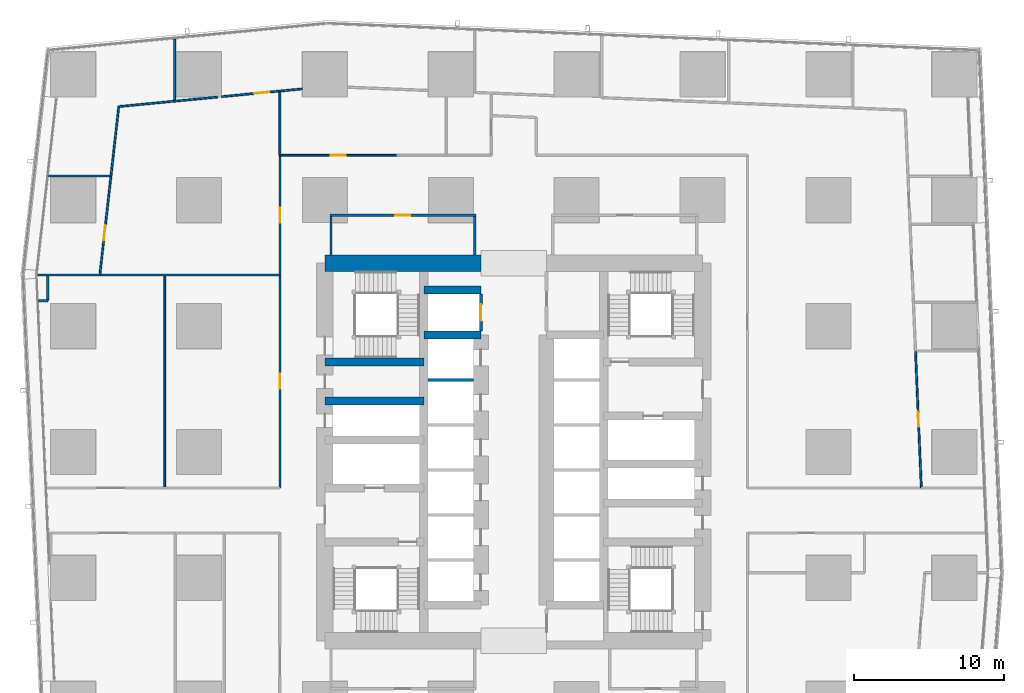
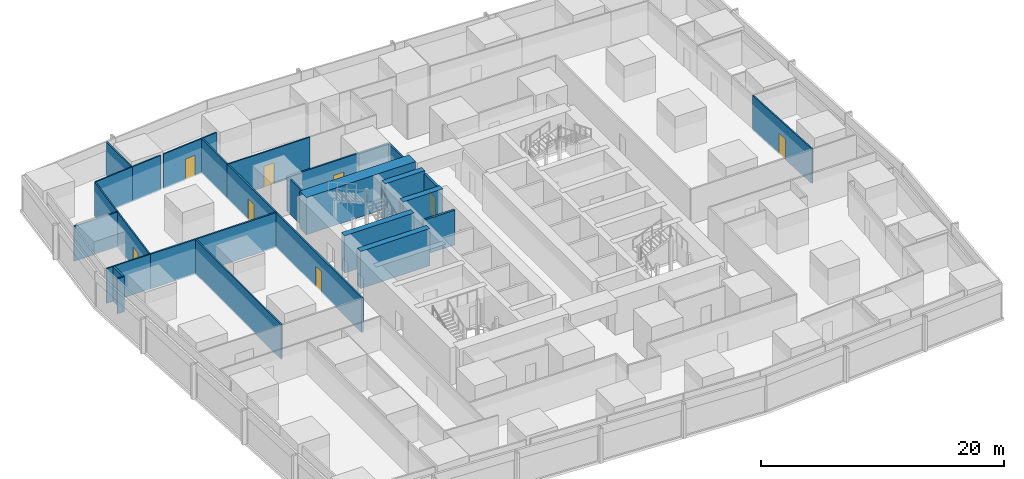
# One storey, part 34 of 45: 27 walls, 8 doors, 8 openings.
"""IFC4 building model written with IfcOpenShell, lengths in metres."""

from ifc_helpers import new_model, si_unit, direction, frame, frame_2d, origin, place, context, subcontext, project, spatial, rectangle, extrude, material, layer, layer_set, type_object, element, fill, save


model = new_model("IFC4")

# Units and contexts
model_context = context("Model", 3, precision=1e-05, world=origin(), true_north=direction((0.0, 1.0)))
body_context = subcontext(model_context, "Body", "Model", "MODEL_VIEW")
ifc_project = project(units=[si_unit("LENGTHUNIT", "METRE"), si_unit("AREAUNIT", "SQUARE_METRE"), si_unit("VOLUMEUNIT", "CUBIC_METRE"), si_unit("PLANEANGLEUNIT", "RADIAN"), si_unit("MASSUNIT", "GRAM", prefix="KILO")], contexts=[model_context])

# Site, building, storey
site_placement = place(None, origin())
site = spatial("IfcSite", under=ifc_project, at=site_placement, CompositionType="ELEMENT")
building_placement = place(site_placement, origin())
building = spatial("IfcBuilding", under=site, at=building_placement, Name="Rekha Terrace Tower", CompositionType="ELEMENT")
storey_placement = place(building_placement, frame((0.0, 0.0, 77.89990234375)))
storey = spatial("IfcBuildingStorey", under=building, at=storey_placement, Name="L19", CompositionType="ELEMENT", Elevation=77.89990234375)

# Walls
ifc_material_1 = material(Name="Concrete M70", Category="concrete")
ifc_layer_1 = layer(ifc_material_1, 0.550048828125)
ifc_layer_set_1 = layer_set([ifc_layer_1], Name="Concrete M70")
wall_type_1 = type_object("IfcWallType", Name="CI1 550 core internal shear wall", PredefinedType="SHEAR", material=ifc_layer_set_1)
for number, where, z_axis, x_axis, name in (
    (1, (31.800048828125, 41.39990234375, 0.0), (0.0, 0.0, 1.0), (1.0, 0.0, 0.0), "Core wall Y414W L19"),
    (2, (31.800048828125, 44.39990234375, 0.0), (0.0, 0.0, 1.0), (1.0, 0.0, 0.0), "Core wall Y444W L19"),
):
    element("IfcWall", number, at=place(storey_placement, frame(where, z_axis=z_axis, x_axis=x_axis)), inside=storey, type_object=wall_type_1, Name=name, PredefinedType="SHEAR", context=body_context, shape_type="SweptSolid", body=[
        extrude(rectangle(XDim=3.800048828125, YDim=0.550048828125, at=frame_2d((1.89990234375, 0.0))), origin(), (0.0, 0.0, 1.0), 3.75),
    ])
for number, where, z_axis, x_axis, name in (
    (3, (25.199951171875, 37.0, 0.0), (0.0, 0.0, 1.0), (1.0, 0.0, 0.0), "Core wall Y370W L19"),
    (4, (25.199951171875, 39.60009765625, 0.0), (0.0, 0.0, 1.0), (1.0, 0.0, 0.0), "Core wall Y396W L19"),
):
    element("IfcWall", number, at=place(storey_placement, frame(where, z_axis=z_axis, x_axis=x_axis)), inside=storey, type_object=wall_type_1, Name=name, PredefinedType="SHEAR", context=body_context, shape_type="SweptSolid", body=[
        extrude(rectangle(XDim=6.60009765625, YDim=0.550048828125, at=frame_2d((3.300048828125, 0.0))), origin(), (0.0, 0.0, 1.0), 3.75),
    ])
ifc_layer_2 = layer(ifc_material_1, 1.10009765625)
ifc_layer_set_2 = layer_set([ifc_layer_2], Name="Concrete M70")
wall_type_2 = type_object("IfcWallType", Name="SW1 1100 core outer shear wall", PredefinedType="SHEAR", material=ifc_layer_set_2)
wall_1_placement = place(storey_placement, frame((25.199951171875, 46.199951171875, 0.0), z_axis=(0.0, 0.0, 1.0), x_axis=(1.0, 0.0, 0.0)))
element("IfcWall", 5, at=wall_1_placement, inside=storey, type_object=wall_type_2, Name="Core wall N1 L19", PredefinedType="SHEAR", context=body_context, shape_type="SweptSolid", body=[
    extrude(rectangle(XDim=10.400146484375, YDim=1.10009765625, at=frame_2d((5.2001953125, 0.0))), origin(), (0.0, 0.0, 1.0), 3.75),
])

# Wall, opening, door
ifc_material_2 = material(Name="Concrete block masonry, 1 hour", Category="masonry")
ifc_layer_3 = layer(ifc_material_2, 0.14990234375)
ifc_layer_set_3 = layer_set([ifc_layer_3], Name="Concrete block masonry, 1 hour")
wall_type_3 = type_object("IfcWallType", Name="WP2 150 tenancy partition", PredefinedType="PARTITIONING", material=ifc_layer_set_3)
wall_2_placement = place(storey_placement, frame((25.52490234375, 49.39990234375, 0.0), z_axis=(0.0, 0.0, 1.0), x_axis=(1.0, 0.0, 0.0)))
wall_2 = element("IfcWall", 6, at=wall_2_placement, inside=storey, type_object=wall_type_3, Name="Women's WC wall L19", PredefinedType="PARTITIONING", context=body_context, shape_type="SweptSolid", body=[
    extrude(rectangle(XDim=9.75, YDim=0.14990234375, at=frame_2d((4.875, 0.0))), origin(), (0.0, 0.0, 1.0), 3.5),
])
opening_1_placement = place(wall_2_placement, frame((4.375, 0.0, 0.0)))
opening_1 = element("IfcOpeningElement", 7, at=opening_1_placement, cuts=wall_2, Name="Opening D3", PredefinedType="OPENING", context=body_context, shape_type="SweptSolid", body=[
    extrude(rectangle(XDim=1.0, YDim=2.10009765625, at=frame_2d((0.5, 1.050048828125))), frame((0.0, 0.0849609375, 0.0), z_axis=(0.0, -1.0, 0.0), x_axis=(1.0, 0.0, 0.0)), (0.0, 0.0, 1.0), 0.169921875),
])
ifc_material_3 = material(Name="Laminated timber fire door", Category="wood")
door_type_1 = type_object("IfcDoorType", Name="D3 1000x2100 WC door", OperationType="SINGLE_SWING_LEFT", PredefinedType="DOOR", material=ifc_material_3)
door_1_placement = place(opening_1_placement, origin())
door_1 = element("IfcDoor", 8, at=door_1_placement, inside=storey, type_object=door_type_1, Name="Door women's wc L19", OperationType="SINGLE_SWING_LEFT", OverallHeight=2.10009765625, OverallWidth=1.0, PredefinedType="DOOR", context=body_context, shape_type="SweptSolid", body=[
    extrude(rectangle(XDim=1.0, YDim=2.10009765625, at=frame_2d((0.5, 1.050048828125))), frame((0.0, 0.02490234375, 0.0), z_axis=(0.0, -1.0, 0.0), x_axis=(1.0, 0.0, 0.0)), (0.0, 0.0, 1.0), 0.050048828125),
])
fill(opening_1, door_1)

# Walls
for number, where, z_axis, x_axis, name in (
    (9, (25.60009765625, 46.75, 0.0), (0.0, 0.0, 1.0), (0.0, 1.0, 0.0), "Women's WC wall L19"),
    (10, (35.199951171875, 46.75, 0.0), (0.0, 0.0, 1.0), (0.0, 1.0, 0.0), "Women's WC wall L19"),
):
    element("IfcWall", number, at=place(storey_placement, frame(where, z_axis=z_axis, x_axis=x_axis)), inside=storey, type_object=wall_type_3, Name=name, PredefinedType="PARTITIONING", context=body_context, shape_type="SweptSolid", body=[
        extrude(rectangle(XDim=2.574951171875, YDim=0.14990234375, at=frame_2d((1.28759765625, 0.0))), origin(), (0.0, 0.0, 1.0), 3.5),
    ])
wall_3_placement = place(storey_placement, frame((6.751953125, 52.013916015625, 0.0), z_axis=(0.0, 0.0, 1.0), x_axis=(1.0, 0.0, 0.0)))
element("IfcWall", 11, at=wall_3_placement, inside=storey, type_object=wall_type_3, Name="Partition L19-O3b", PredefinedType="PARTITIONING", context=body_context, shape_type="SweptSolid", body=[
    extrude(rectangle(XDim=4.113037109375, YDim=0.14990234375, at=frame_2d((2.056640625, 0.0))), origin(), (0.0, 0.0, 1.0), 3.5),
])

# Wall, opening, door
wall_4_placement = place(storey_placement, frame((22.199951171875, 53.39990234375, 0.0), z_axis=(0.0, 0.0, 1.0), x_axis=(0.0, -1.0, 0.0)))
wall_4 = element("IfcWall", 12, at=wall_4_placement, inside=storey, type_object=wall_type_3, Name="Partition L19-O3b", PredefinedType="PARTITIONING", context=body_context, shape_type="SweptSolid", body=[
    extrude(rectangle(XDim=7.989013671875, YDim=0.14990234375, at=frame_2d((3.99462890625, 0.0))), origin(), (0.0, 0.0, 1.0), 3.5),
])
opening_2_placement = place(wall_4_placement, frame((3.493896484375, 0.0, 0.0)))
opening_2 = element("IfcOpeningElement", 13, at=opening_2_placement, cuts=wall_4, Name="Opening D9", PredefinedType="OPENING", context=body_context, shape_type="SweptSolid", body=[
    extrude(rectangle(XDim=1.0, YDim=2.10009765625, at=frame_2d((0.5, 1.050048828125))), frame((0.0, 0.0849609375, 0.0), z_axis=(0.0, -1.0, 0.0), x_axis=(1.0, 0.0, 0.0)), (0.0, 0.0, 1.0), 0.169921875),
])
ifc_material_4 = material(Name="Timber fire door", Category="wood")
door_type_2 = type_object("IfcDoorType", Name="D9 1000x2100 office door", OperationType="SINGLE_SWING_LEFT", PredefinedType="DOOR", material=ifc_material_4)
door_2_placement = place(opening_2_placement, origin())
door_2 = element("IfcDoor", 14, at=door_2_placement, inside=storey, type_object=door_type_2, Name="Door open-plan office L19", OperationType="SINGLE_SWING_LEFT", OverallHeight=2.10009765625, OverallWidth=1.0, PredefinedType="DOOR", context=body_context, shape_type="SweptSolid", body=[
    extrude(rectangle(XDim=1.0, YDim=2.10009765625, at=frame_2d((0.5, 1.050048828125))), frame((0.0, 0.02490234375, 0.0), z_axis=(0.0, -1.0, 0.0), x_axis=(1.0, 0.0, 0.0)), (0.0, 0.0, 1.0), 0.050048828125),
])
fill(opening_2, door_2)

# Walls
wall_5_placement = place(storey_placement, frame((22.199951171875, 45.410888671875, 0.0), z_axis=(0.0, 0.0, 1.0), x_axis=(-1.0, 0.0, 0.0)))
element("IfcWall", 15, at=wall_5_placement, inside=storey, type_object=wall_type_3, Name="Partition L19-O3b", PredefinedType="PARTITIONING", context=body_context, shape_type="SweptSolid", body=[
    extrude(rectangle(XDim=12.013916015625, YDim=0.14990234375, at=frame_2d((6.0068359375, 0.0))), origin(), (0.0, 0.0, 1.0), 3.5),
])
wall_6_placement = place(storey_placement, frame((6.717041015625, 45.34912109375, 0.0), z_axis=(0.0, 0.0, 1.0), x_axis=(0.0, -1.0, 0.0)))
element("IfcWall", 16, at=wall_6_placement, inside=storey, type_object=wall_type_3, Name="Partition L19-O3b", PredefinedType="PARTITIONING", context=body_context, shape_type="SweptSolid", body=[
    extrude(rectangle(XDim=1.655029296875, YDim=0.14990234375, at=frame_2d((0.82763671875, 0.0))), origin(), (0.0, 0.0, 1.0), 3.5),
])
wall_7_placement = place(storey_placement, frame((6.717041015625, 43.694091796875, 0.0), z_axis=(0.0, 0.0, 1.0), x_axis=(-1.0, 0.0, 0.0)))
element("IfcWall", 17, at=wall_7_placement, inside=storey, type_object=wall_type_3, Name="Partition L19-O3b", PredefinedType="PARTITIONING", context=body_context, shape_type="SweptSolid", body=[
    extrude(rectangle(XDim=0.6279296875, YDim=0.14990234375, at=frame_2d((0.31396484375, 0.0))), origin(), (0.0, 0.0, 1.0), 3.5),
])

# Wall, opening, door
wall_8_placement = place(storey_placement, frame((22.199951171875, 45.410888671875, 0.0), z_axis=(0.0, 0.0, 1.0), x_axis=(0.0, -1.0, 0.0)))
wall_8 = element("IfcWall", 18, at=wall_8_placement, inside=storey, type_object=wall_type_3, Name="Partition L19-O4", PredefinedType="PARTITIONING", context=body_context, shape_type="SweptSolid", body=[
    extrude(rectangle(XDim=14.2109375, YDim=0.14990234375, at=frame_2d((7.10546875, 0.0))), origin(), (0.0, 0.0, 1.0), 3.5),
])
opening_3_placement = place(wall_8_placement, frame((6.60595703125, 0.0, 0.0)))
opening_3 = element("IfcOpeningElement", 19, at=opening_3_placement, cuts=wall_8, Name="Opening D9", PredefinedType="OPENING", context=body_context, shape_type="SweptSolid", body=[
    extrude(rectangle(XDim=1.0, YDim=2.10009765625, at=frame_2d((0.5, 1.050048828125))), frame((0.0, 0.0849609375, 0.0), z_axis=(0.0, -1.0, 0.0), x_axis=(1.0, 0.0, 0.0)), (0.0, 0.0, 1.0), 0.169921875),
])
door_3_placement = place(opening_3_placement, origin())
door_3 = element("IfcDoor", 20, at=door_3_placement, inside=storey, type_object=door_type_2, Name="Door open-plan office L19", OperationType="SINGLE_SWING_LEFT", OverallHeight=2.10009765625, OverallWidth=1.0, PredefinedType="DOOR", context=body_context, shape_type="SweptSolid", body=[
    extrude(rectangle(XDim=1.0, YDim=2.10009765625, at=frame_2d((0.5, 1.050048828125))), frame((0.0, 0.02490234375, 0.0), z_axis=(0.0, -1.0, 0.0), x_axis=(1.0, 0.0, 0.0)), (0.0, 0.0, 1.0), 0.050048828125),
])
fill(opening_3, door_3)

ifc_material_5 = material(Name="Two layers of fire-rated gypsum board each side on steel studs, acoustic quilt, 1 hour", Category="steel")
ifc_layer_4 = layer(ifc_material_5, 0.125)
ifc_layer_set_4 = layer_set([ifc_layer_4], Name="Two layers of fire-rated gypsum board each side on steel studs, acoustic quilt, 1 hour")
wall_type_4 = type_object("IfcWallType", Name="WP3 125 office partition", PredefinedType="PARTITIONING", material=ifc_layer_set_4)
wall_9_placement = place(storey_placement, frame((64.990966796875, 31.201904296875, 0.0), z_axis=(0.0, 0.0, 1.0), x_axis=(-0.042637761781, 0.999090597128, 0.0)))
wall_9 = element("IfcWall", 21, at=wall_9_placement, inside=storey, type_object=wall_type_4, Name="Partition L19-14", PredefinedType="PARTITIONING", context=body_context, shape_type="SweptSolid", body=[
    extrude(rectangle(XDim=9.144287109375, YDim=0.125, at=frame_2d((4.572265625, 0.0))), origin(), (0.0, 0.0, 1.0), 3.5),
])
opening_4_placement = place(wall_9_placement, frame((4.072021484375, 0.0, 0.0)))
opening_4 = element("IfcOpeningElement", 22, at=opening_4_placement, cuts=wall_9, Name="Opening D9", PredefinedType="OPENING", context=body_context, shape_type="SweptSolid", body=[
    extrude(rectangle(XDim=1.0, YDim=2.10009765625, at=frame_2d((0.5, 1.050048828125))), frame((0.0, 0.072509765625, 0.0), z_axis=(0.0, -1.0, 0.0), x_axis=(1.0, 0.0, 0.0)), (0.0, 0.0, 1.0), 0.14501953125),
])
door_4_placement = place(opening_4_placement, origin())
door_4 = element("IfcDoor", 23, at=door_4_placement, inside=storey, type_object=door_type_2, Name="Door office L19", OperationType="SINGLE_SWING_LEFT", OverallHeight=2.10009765625, OverallWidth=1.0, PredefinedType="DOOR", context=body_context, shape_type="SweptSolid", body=[
    extrude(rectangle(XDim=1.0, YDim=2.10009765625, at=frame_2d((0.5, 1.050048828125))), frame((0.0, 0.02490234375, 0.0), z_axis=(0.0, -1.0, 0.0), x_axis=(1.0, 0.0, 0.0)), (0.0, 0.0, 1.0), 0.050048828125),
])
fill(opening_4, door_4)

# Wall
wall_10_placement = place(storey_placement, frame((15.177001953125, 57.0048828125, 0.0), z_axis=(0.0, 0.0, 1.0), x_axis=(0.0, 1.0, 0.0)))
element("IfcWall", 24, at=wall_10_placement, inside=storey, type_object=wall_type_4, Name="Partition L19-18", PredefinedType="PARTITIONING", context=body_context, shape_type="SweptSolid", body=[
    extrude(rectangle(XDim=4.13916015625, YDim=0.125, at=frame_2d((2.069580078125, 0.0))), origin(), (0.0, 0.0, 1.0), 3.5),
])

# Wall, opening, door
wall_11_placement = place(storey_placement, frame((23.679931640625, 57.822998046875, 0.0), z_axis=(0.0, 0.0, 1.0), x_axis=(-0.995395894547, -0.095848907765, 0.0)))
wall_11 = element("IfcWall", 25, at=wall_11_placement, inside=storey, type_object=wall_type_4, Name="Partition L19-18", PredefinedType="PARTITIONING", context=body_context, shape_type="SweptSolid", body=[
    extrude(rectangle(XDim=5.384765625, YDim=0.125, at=frame_2d((2.6923828125, 0.0))), origin(), (0.0, 0.0, 1.0), 3.5),
])
opening_5_placement = place(wall_11_placement, frame((2.19189453125, 0.0, 0.0)))
opening_5 = element("IfcOpeningElement", 26, at=opening_5_placement, cuts=wall_11, Name="Opening D9", PredefinedType="OPENING", context=body_context, shape_type="SweptSolid", body=[
    extrude(rectangle(XDim=1.0, YDim=2.10009765625, at=frame_2d((0.5, 1.050048828125))), frame((0.0, 0.072509765625, 0.0), z_axis=(0.0, -1.0, 0.0), x_axis=(1.0, 0.0, 0.0)), (0.0, 0.0, 1.0), 0.14501953125),
])
door_5_placement = place(opening_5_placement, origin())
door_5 = element("IfcDoor", 27, at=door_5_placement, inside=storey, type_object=door_type_2, Name="Door office L19", OperationType="SINGLE_SWING_LEFT", OverallHeight=2.10009765625, OverallWidth=1.0, PredefinedType="DOOR", context=body_context, shape_type="SweptSolid", body=[
    extrude(rectangle(XDim=1.0, YDim=2.10009765625, at=frame_2d((0.5, 1.050048828125))), frame((0.0, 0.02490234375, 0.0), z_axis=(0.0, -1.0, 0.0), x_axis=(1.0, 0.0, 0.0)), (0.0, 0.0, 1.0), 0.050048828125),
])
fill(opening_5, door_5)

# Walls
wall_12_placement = place(storey_placement, frame((18.037109375, 57.280029296875, 0.0), z_axis=(0.0, 0.0, 1.0), x_axis=(-0.995404513367, -0.095759358648, 0.0)))
element("IfcWall", 28, at=wall_12_placement, inside=storey, type_object=wall_type_4, Name="Partition L19-18", PredefinedType="PARTITIONING", context=body_context, shape_type="SweptSolid", body=[
    extrude(rectangle(XDim=2.873291015625, YDim=0.125, at=frame_2d((1.4365234375, 0.0))), origin(), (0.0, 0.0, 1.0), 3.5),
])
wall_13_placement = place(storey_placement, frame((15.176025390625, 57.0048828125, 0.0), z_axis=(0.0, 0.0, 1.0), x_axis=(-0.995395878678, -0.095849072557, 0.0)))
element("IfcWall", 29, at=wall_13_placement, inside=storey, type_object=wall_type_4, Name="Partition L19-19", PredefinedType="PARTITIONING", context=body_context, shape_type="SweptSolid", body=[
    extrude(rectangle(XDim=3.744384765625, YDim=0.125, at=frame_2d((1.8720703125, 0.0))), origin(), (0.0, 0.0, 1.0), 3.5),
])
wall_14_placement = place(storey_placement, frame((11.448974609375, 56.64599609375, 0.0), z_axis=(0.0, 0.0, 1.0), x_axis=(-0.111724331414, -0.993739238317, 0.0)))
element("IfcWall", 30, at=wall_14_placement, inside=storey, type_object=wall_type_4, Name="Partition L19-19", PredefinedType="PARTITIONING", context=body_context, shape_type="SweptSolid", body=[
    extrude(rectangle(XDim=4.663330078125, YDim=0.125, at=frame_2d((2.33154296875, 0.0))), origin(), (0.0, 0.0, 1.0), 3.5),
])

# Wall, opening, door
wall_15_placement = place(storey_placement, frame((10.927978515625, 52.011962890625, 0.0), z_axis=(0.0, 0.0, 1.0), x_axis=(-0.111714457102, -0.993740348418, 0.0)))
wall_15 = element("IfcWall", 31, at=wall_15_placement, inside=storey, type_object=wall_type_4, Name="Partition L19-19", PredefinedType="PARTITIONING", context=body_context, shape_type="SweptSolid", body=[
    extrude(rectangle(XDim=6.641357421875, YDim=0.125, at=frame_2d((3.32080078125, 0.0))), origin(), (0.0, 0.0, 1.0), 3.5),
])
opening_6_placement = place(wall_15_placement, frame((3.321044921875, 0.0, 0.0)))
opening_6 = element("IfcOpeningElement", 32, at=opening_6_placement, cuts=wall_15, Name="Opening D9", PredefinedType="OPENING", context=body_context, shape_type="SweptSolid", body=[
    extrude(rectangle(XDim=1.0, YDim=2.10009765625, at=frame_2d((0.5, 1.050048828125))), frame((0.0, 0.072509765625, 0.0), z_axis=(0.0, -1.0, 0.0), x_axis=(1.0, 0.0, 0.0)), (0.0, 0.0, 1.0), 0.14501953125),
])
door_6_placement = place(opening_6_placement, origin())
door_6 = element("IfcDoor", 33, at=door_6_placement, inside=storey, type_object=door_type_2, Name="Door director's office L19", OperationType="SINGLE_SWING_LEFT", OverallHeight=2.10009765625, OverallWidth=1.0, PredefinedType="DOOR", context=body_context, shape_type="SweptSolid", body=[
    extrude(rectangle(XDim=1.0, YDim=2.10009765625, at=frame_2d((0.5, 1.050048828125))), frame((0.0, 0.02490234375, 0.0), z_axis=(0.0, -1.0, 0.0), x_axis=(1.0, 0.0, 0.0)), (0.0, 0.0, 1.0), 0.050048828125),
])
fill(opening_6, door_6)

# Wall
wall_16_placement = place(storey_placement, frame((10.18603515625, 45.412109375, 0.0), z_axis=(0.0, 0.0, 1.0), x_axis=(-1.0, 0.0, 0.0)))
element("IfcWall", 34, at=wall_16_placement, inside=storey, type_object=wall_type_4, Name="Partition L19-19", PredefinedType="PARTITIONING", context=body_context, shape_type="SweptSolid", body=[
    extrude(rectangle(XDim=4.14208984375, YDim=0.125, at=frame_2d((2.071044921875, 0.0))), origin(), (0.0, 0.0, 1.0), 3.5),
])

# Wall, opening, door
wall_17_placement = place(storey_placement, frame((30.0, 53.39990234375, 0.0), z_axis=(0.0, 0.0, 1.0), x_axis=(-1.0, 0.0, 0.0)))
wall_17 = element("IfcWall", 35, at=wall_17_placement, inside=storey, type_object=wall_type_4, Name="Partition L19-20", PredefinedType="PARTITIONING", context=body_context, shape_type="SweptSolid", body=[
    extrude(rectangle(XDim=7.800048828125, YDim=0.125, at=frame_2d((3.89990234375, 0.0))), origin(), (0.0, 0.0, 1.0), 3.5),
])
opening_7_placement = place(wall_17_placement, frame((3.39990234375, 0.0, 0.0)))
opening_7 = element("IfcOpeningElement", 36, at=opening_7_placement, cuts=wall_17, Name="Opening D9", PredefinedType="OPENING", context=body_context, shape_type="SweptSolid", body=[
    extrude(rectangle(XDim=1.0, YDim=2.10009765625, at=frame_2d((0.5, 1.050048828125))), frame((0.0, 0.072509765625, 0.0), z_axis=(0.0, -1.0, 0.0), x_axis=(1.0, 0.0, 0.0)), (0.0, 0.0, 1.0), 0.14501953125),
])
door_7_placement = place(opening_7_placement, origin())
door_7 = element("IfcDoor", 37, at=door_7_placement, inside=storey, type_object=door_type_2, Name="Door reception L19", OperationType="SINGLE_SWING_LEFT", OverallHeight=2.10009765625, OverallWidth=1.0, PredefinedType="DOOR", context=body_context, shape_type="SweptSolid", body=[
    extrude(rectangle(XDim=1.0, YDim=2.10009765625, at=frame_2d((0.5, 1.050048828125))), frame((0.0, 0.02490234375, 0.0), z_axis=(0.0, -1.0, 0.0), x_axis=(1.0, 0.0, 0.0)), (0.0, 0.0, 1.0), 0.050048828125),
])
fill(opening_7, door_7)

# Walls
wall_18_placement = place(storey_placement, frame((22.199951171875, 53.39990234375, 0.0), z_axis=(0.0, 0.0, 1.0), x_axis=(0.0, 1.0, 0.0)))
element("IfcWall", 38, at=wall_18_placement, inside=storey, type_object=wall_type_4, Name="Partition L19-20", PredefinedType="PARTITIONING", context=body_context, shape_type="SweptSolid", body=[
    extrude(rectangle(XDim=4.218017578125, YDim=0.125, at=frame_2d((2.10888671875, 0.0))), origin(), (0.0, 0.0, 1.0), 3.5),
])
wall_19_placement = place(storey_placement, frame((14.51708984375, 45.3359375, 0.0), z_axis=(0.0, 0.0, 1.0), x_axis=(0.0, -1.0, 0.0)))
element("IfcWall", 39, at=wall_19_placement, inside=storey, type_object=wall_type_4, Name="Partition L19-23", PredefinedType="PARTITIONING", context=body_context, shape_type="SweptSolid", body=[
    extrude(rectangle(XDim=14.135986328125, YDim=0.125, at=frame_2d((7.06787109375, 0.0))), origin(), (0.0, 0.0, 1.0), 3.5),
])
ifc_material_6 = material(Name="Solid concrete block masonry, 2 hour", Category="masonry")
ifc_layer_5 = layer(ifc_material_6, 0.199951171875)
ifc_layer_set_5 = layer_set([ifc_layer_5], Name="Solid concrete block masonry, 2 hour")
wall_type_5 = type_object("IfcWallType", Name="WS1 200 stair and shaft enclosure", PredefinedType="PARTITIONING", material=ifc_layer_set_5)
wall_20_placement = place(storey_placement, frame((32.074951171875, 38.39990234375, 0.0), z_axis=(0.0, 0.0, 1.0), x_axis=(1.0, 0.0, 0.0)))
element("IfcWall", 40, at=wall_20_placement, inside=storey, type_object=wall_type_5, Name="Lift shaft divider L19", PredefinedType="PARTITIONING", context=body_context, shape_type="SweptSolid", body=[
    extrude(rectangle(XDim=3.025146484375, YDim=0.199951171875, at=frame_2d((1.5126953125, 0.0))), origin(), (0.0, 0.0, 1.0), 3.5),
])

# Wall, opening, door
wall_21_placement = place(storey_placement, frame((35.60009765625, 41.675048828125, 0.0), z_axis=(0.0, 0.0, 1.0), x_axis=(0.0, 1.0, 0.0)))
wall_21 = element("IfcWall", 41, at=wall_21_placement, inside=storey, type_object=wall_type_5, Name="Core partition jansv L19", PredefinedType="PARTITIONING", context=body_context, shape_type="SweptSolid", body=[
    extrude(rectangle(XDim=2.449951171875, YDim=0.199951171875, at=frame_2d((1.22509765625, 0.0))), origin(), (0.0, 0.0, 1.0), 3.5),
])
opening_8_placement = place(wall_21_placement, frame((0.675048828125, 0.0, 0.0)))
opening_8 = element("IfcOpeningElement", 42, at=opening_8_placement, cuts=wall_21, Name="Opening LD1", PredefinedType="OPENING", context=body_context, shape_type="SweptSolid", body=[
    extrude(rectangle(XDim=1.10009765625, YDim=2.10009765625, at=frame_2d((0.550048828125, 1.050048828125))), frame((0.0, 0.10986328125, 0.0), z_axis=(0.0, -1.0, 0.0), x_axis=(1.0, 0.0, 0.0)), (0.0, 0.0, 1.0), 0.219970703125),
])
ifc_material_7 = material(Name="Stainless steel sliding landing door", Category="steel")
door_type_3 = type_object("IfcDoorType", Name="LD1 1100x2100 lift landing door", OperationType="SLIDING_TO_LEFT", PredefinedType="USERDEFINED", material=ifc_material_7)
door_8_placement = place(opening_8_placement, origin())
door_8 = element("IfcDoor", 43, at=door_8_placement, inside=storey, type_object=door_type_3, Name="Lift SV1 landing door L19", ObjectType="LIFT LANDING DOOR", OperationType="SLIDING_TO_LEFT", OverallHeight=2.10009765625, OverallWidth=1.10009765625, PredefinedType="USERDEFINED", context=body_context, shape_type="SweptSolid", body=[
    extrude(rectangle(XDim=1.10009765625, YDim=2.10009765625, at=frame_2d((0.550048828125, 1.050048828125))), frame((0.0, 0.02490234375, 0.0), z_axis=(0.0, -1.0, 0.0), x_axis=(1.0, 0.0, 0.0)), (0.0, 0.0, 1.0), 0.050048828125),
])
fill(opening_8, door_8)

save(model, "model.ifc")
